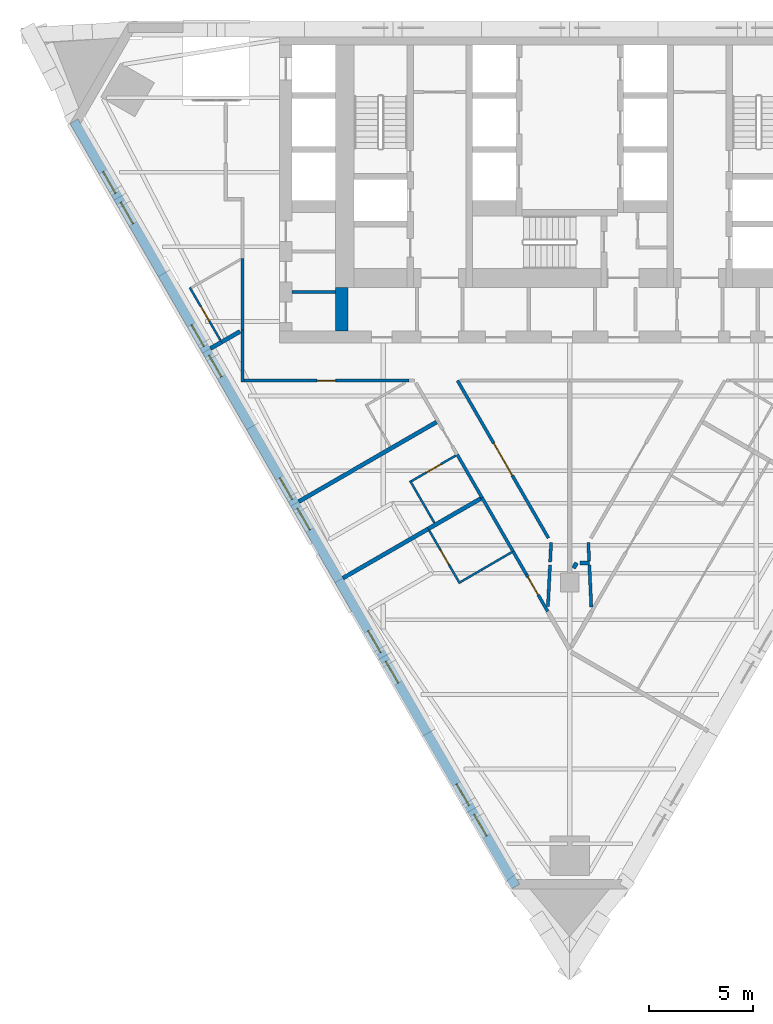
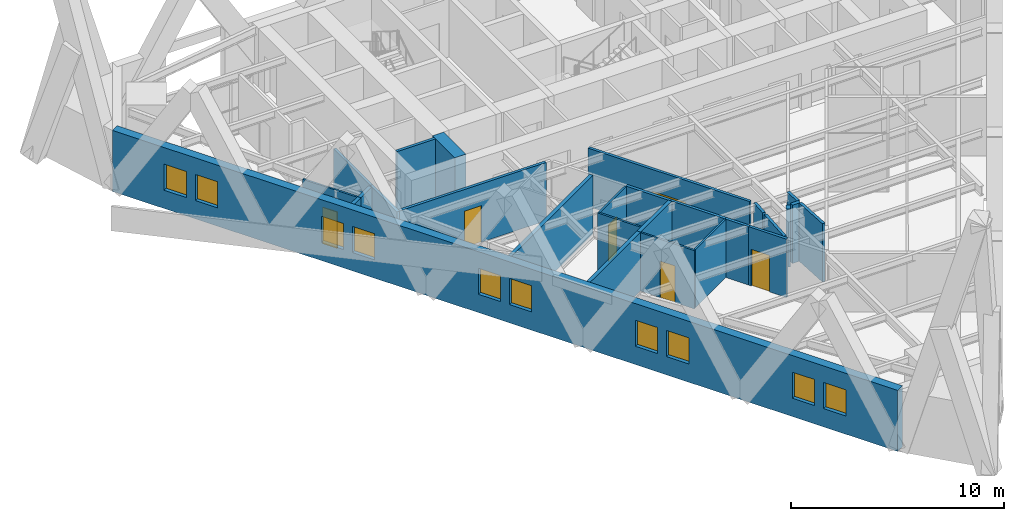
# One storey, part 4 of 11: 27 walls, 10 windows, 6 doors, 16 openings.
"""IFC4 building model written with IfcOpenShell, lengths in metres."""

from ifc_helpers import new_model, si_unit, direction, frame, frame_2d, origin, place, context, subcontext, project, spatial, polyline, rectangle, outline, extrude, material, layer, layer_set, type_object, element, fill, save


model = new_model("IFC4")

# Units and contexts
model_context = context("Model", 3, precision=1e-05, world=origin(), true_north=direction((0.0, 1.0)))
body_context = subcontext(model_context, "Body", "Model", "MODEL_VIEW")
ifc_project = project(units=[si_unit("LENGTHUNIT", "METRE"), si_unit("AREAUNIT", "SQUARE_METRE"), si_unit("VOLUMEUNIT", "CUBIC_METRE"), si_unit("PLANEANGLEUNIT", "RADIAN"), si_unit("MASSUNIT", "GRAM", prefix="KILO")], contexts=[model_context])

# Site, building, storey
site_placement = place(None, origin())
site = spatial("IfcSite", under=ifc_project, at=site_placement, CompositionType="ELEMENT")
building_placement = place(site_placement, origin())
building = spatial("IfcBuilding", under=site, at=building_placement, Name="Aloe Facet Convention Tower", CompositionType="ELEMENT")
storey_placement = place(building_placement, frame((0.0, 0.0, 95.800048828125)))
storey = spatial("IfcBuildingStorey", under=building, at=storey_placement, Name="L23", CompositionType="ELEMENT", Elevation=95.800048828125)

# Walls
ifc_material_1 = material(Name="Concrete blockwork partition", Category="masonry")
ifc_layer_1 = layer(ifc_material_1, 0.14990234375)
ifc_layer_set_1 = layer_set([ifc_layer_1], Name="CR-W-PART150")
wall_type_1 = type_object("IfcWallType", Name="CR-W-PART150", PredefinedType="PARTITIONING", material=ifc_layer_set_1)
wall_1_placement = place(storey_placement, frame((66.60009765625, 122.02490234375, 0.0), z_axis=(0.0, 0.0, 1.0), x_axis=(1.0, 0.0, 0.0)))
element("IfcWall", 1, at=wall_1_placement, inside=storey, type_object=wall_type_1, Name="Core partition L23-008", PredefinedType="PARTITIONING", context=body_context, shape_type="SweptSolid", body=[
    extrude(rectangle(XDim=2.099853515625, YDim=0.14990234375, at=frame_2d((1.0498046875, 0.0))), origin(), (0.0, 0.0, 1.0), 3.349853515625),
])
ifc_material_2 = material(Name="Concrete C70/85", Category="concrete")
ifc_layer_2 = layer(ifc_material_2, 0.60009765625)
ifc_layer_set_2 = layer_set([ifc_layer_2], Name="CR-W-RC600-C7085")
wall_type_2 = type_object("IfcWallType", Name="CR-W-RC600-C7085", PredefinedType="SOLIDWALL", material=ifc_layer_set_2)
wall_2_placement = place(storey_placement, frame((69.0, 122.25, 0.0), z_axis=(0.0, 0.0, 1.0), x_axis=(0.0, -1.0, 0.0)))
element("IfcWall", 2, at=wall_2_placement, inside=storey, type_object=wall_type_2, Name="Core wall L23-010", PredefinedType="SOLIDWALL", context=body_context, shape_type="SweptSolid", body=[
    extrude(rectangle(XDim=2.10009765625, YDim=0.60009765625, at=frame_2d((1.050048828125, 0.0))), origin(), (0.0, 0.0, 1.0), 3.349853515625),
])

# Wall, openings, windows
ifc_material_3 = material(Name="Precast concrete C40/50", Category="concrete")
ifc_layer_3 = layer(ifc_material_3, 0.449951171875)
ifc_layer_set_3 = layer_set([ifc_layer_3], Name="EV-WALL-STONE")
wall_type_3 = type_object("IfcWallType", Name="EV-WALL-STONE", PredefinedType="SOLIDWALL", material=ifc_layer_set_3)
wall_3_placement = place(storey_placement, frame((56.0732421875, 130.2626953125, -0.150146484375), z_axis=(0.0, 0.0, 1.0), x_axis=(0.500000478905, -0.866025127289, 0.0)))
wall_3 = element("IfcWall", 3, at=wall_3_placement, inside=storey, type_object=wall_type_3, Name="EW-L23-W01", PredefinedType="SOLIDWALL", context=body_context, shape_type="SweptSolid", body=[
    extrude(outline(polyline([(42.64306640625, 0.0), (42.64306640625, 3.5), (0.0, 3.5), (0.0, 0.0), (42.64306640625, 0.0)])), frame((0.0, 0.22509765625, 0.0), z_axis=(0.0, -1.0, 0.0), x_axis=(1.0, 0.0, 0.0)), (0.0, 0.0, 1.0), 0.449951171875),
])
opening_1_placement = place(wall_3_placement, frame((2.814208984375, 0.0, 1.050048828125)))
opening_1 = element("IfcOpeningElement", 4, at=opening_1_placement, cuts=wall_3, Name="Opening W-L23-W01", PredefinedType="OPENING", context=body_context, shape_type="SweptSolid", body=[
    extrude(rectangle(XDim=1.199951171875, YDim=1.5, at=frame_2d((0.60009765625, 0.75))), frame((0.0, 0.23486328125, 0.0), z_axis=(0.0, -1.0, 0.0), x_axis=(1.0, 0.0, 0.0)), (0.0, 0.0, 1.0), 0.469970703125),
])
opening_2_placement = place(wall_3_placement, frame((4.514404296875, 0.0, 1.050048828125)))
opening_2 = element("IfcOpeningElement", 5, at=opening_2_placement, cuts=wall_3, Name="Opening W-L23-W02", PredefinedType="OPENING", context=body_context, shape_type="SweptSolid", body=[
    extrude(rectangle(XDim=1.199951171875, YDim=1.5, at=frame_2d((0.60009765625, 0.75))), frame((0.0, 0.23486328125, 0.0), z_axis=(0.0, -1.0, 0.0), x_axis=(1.0, 0.0, 0.0)), (0.0, 0.0, 1.0), 0.469970703125),
])
opening_3_placement = place(wall_3_placement, frame((11.343017578125, 0.0, 1.050048828125)))
opening_3 = element("IfcOpeningElement", 6, at=opening_3_placement, cuts=wall_3, Name="Opening W-L23-W03", PredefinedType="OPENING", context=body_context, shape_type="SweptSolid", body=[
    extrude(rectangle(XDim=1.199951171875, YDim=1.5, at=frame_2d((0.60009765625, 0.75))), frame((0.0, 0.23486328125, 0.0), z_axis=(0.0, -1.0, 0.0), x_axis=(1.0, 0.0, 0.0)), (0.0, 0.0, 1.0), 0.469970703125),
])
opening_4_placement = place(wall_3_placement, frame((13.04296875, 0.0, 1.050048828125)))
opening_4 = element("IfcOpeningElement", 7, at=opening_4_placement, cuts=wall_3, Name="Opening W-L23-W04", PredefinedType="OPENING", context=body_context, shape_type="SweptSolid", body=[
    extrude(rectangle(XDim=1.199951171875, YDim=1.5, at=frame_2d((0.60009765625, 0.75))), frame((0.0, 0.23486328125, 0.0), z_axis=(0.0, -1.0, 0.0), x_axis=(1.0, 0.0, 0.0)), (0.0, 0.0, 1.0), 0.469970703125),
])
opening_5_placement = place(wall_3_placement, frame((19.87158203125, 0.0, 1.050048828125)))
opening_5 = element("IfcOpeningElement", 8, at=opening_5_placement, cuts=wall_3, Name="Opening W-L23-W05", PredefinedType="OPENING", context=body_context, shape_type="SweptSolid", body=[
    extrude(rectangle(XDim=1.199951171875, YDim=1.5, at=frame_2d((0.60009765625, 0.75))), frame((0.0, 0.23486328125, 0.0), z_axis=(0.0, -1.0, 0.0), x_axis=(1.0, 0.0, 0.0)), (0.0, 0.0, 1.0), 0.469970703125),
])
opening_6_placement = place(wall_3_placement, frame((21.571533203125, 0.0, 1.050048828125)))
opening_6 = element("IfcOpeningElement", 9, at=opening_6_placement, cuts=wall_3, Name="Opening W-L23-W06", PredefinedType="OPENING", context=body_context, shape_type="SweptSolid", body=[
    extrude(rectangle(XDim=1.199951171875, YDim=1.5, at=frame_2d((0.60009765625, 0.75))), frame((0.0, 0.23486328125, 0.0), z_axis=(0.0, -1.0, 0.0), x_axis=(1.0, 0.0, 0.0)), (0.0, 0.0, 1.0), 0.469970703125),
])
opening_7_placement = place(wall_3_placement, frame((28.400146484375, 0.0, 1.050048828125)))
opening_7 = element("IfcOpeningElement", 10, at=opening_7_placement, cuts=wall_3, Name="Opening W-L23-W07", PredefinedType="OPENING", context=body_context, shape_type="SweptSolid", body=[
    extrude(rectangle(XDim=1.199951171875, YDim=1.5, at=frame_2d((0.60009765625, 0.75))), frame((0.0, 0.23486328125, 0.0), z_axis=(0.0, -1.0, 0.0), x_axis=(1.0, 0.0, 0.0)), (0.0, 0.0, 1.0), 0.469970703125),
])
opening_8_placement = place(wall_3_placement, frame((30.10009765625, 0.0, 1.050048828125)))
opening_8 = element("IfcOpeningElement", 11, at=opening_8_placement, cuts=wall_3, Name="Opening W-L23-W08", PredefinedType="OPENING", context=body_context, shape_type="SweptSolid", body=[
    extrude(rectangle(XDim=1.199951171875, YDim=1.5, at=frame_2d((0.60009765625, 0.75))), frame((0.0, 0.23486328125, 0.0), z_axis=(0.0, -1.0, 0.0), x_axis=(1.0, 0.0, 0.0)), (0.0, 0.0, 1.0), 0.469970703125),
])
opening_9_placement = place(wall_3_placement, frame((36.9287109375, 0.0, 1.050048828125)))
opening_9 = element("IfcOpeningElement", 12, at=opening_9_placement, cuts=wall_3, Name="Opening W-L23-W09", PredefinedType="OPENING", context=body_context, shape_type="SweptSolid", body=[
    extrude(rectangle(XDim=1.199951171875, YDim=1.5, at=frame_2d((0.60009765625, 0.75))), frame((0.0, 0.23486328125, 0.0), z_axis=(0.0, -1.0, 0.0), x_axis=(1.0, 0.0, 0.0)), (0.0, 0.0, 1.0), 0.469970703125),
])
opening_10_placement = place(wall_3_placement, frame((38.628662109375, 0.0, 1.050048828125)))
opening_10 = element("IfcOpeningElement", 13, at=opening_10_placement, cuts=wall_3, Name="Opening W-L23-W10", PredefinedType="OPENING", context=body_context, shape_type="SweptSolid", body=[
    extrude(rectangle(XDim=1.199951171875, YDim=1.5, at=frame_2d((0.60009765625, 0.75))), frame((0.0, 0.23486328125, 0.0), z_axis=(0.0, -1.0, 0.0), x_axis=(1.0, 0.0, 0.0)), (0.0, 0.0, 1.0), 0.469970703125),
])
ifc_material_4 = material(Name="Aluminium frame, clear double glazing", Category="aluminium")
window_type = type_object("IfcWindowType", Name="EV-WIN-H12", PartitioningType="SINGLE_PANEL", PredefinedType="WINDOW", material=ifc_material_4)
window_1_placement = place(opening_1_placement, origin())
window_1 = element("IfcWindow", 14, at=window_1_placement, inside=storey, type_object=window_type, Name="W-L23-W01", OverallHeight=1.5, OverallWidth=1.199951171875, PartitioningType="SINGLE_PANEL", PredefinedType="WINDOW", context=body_context, shape_type="SweptSolid", body=[
    extrude(rectangle(XDim=1.199951171875, YDim=1.5, at=frame_2d((0.60009765625, 0.75))), frame((0.0, 0.030029296875, 0.0), z_axis=(0.0, -1.0, 0.0), x_axis=(1.0, 0.0, 0.0)), (0.0, 0.0, 1.0), 0.06005859375),
])
fill(opening_1, window_1)
window_2_placement = place(opening_2_placement, origin())
window_2 = element("IfcWindow", 15, at=window_2_placement, inside=storey, type_object=window_type, Name="W-L23-W02", OverallHeight=1.5, OverallWidth=1.199951171875, PartitioningType="SINGLE_PANEL", PredefinedType="WINDOW", context=body_context, shape_type="SweptSolid", body=[
    extrude(rectangle(XDim=1.199951171875, YDim=1.5, at=frame_2d((0.60009765625, 0.75))), frame((0.0, 0.030029296875, 0.0), z_axis=(0.0, -1.0, 0.0), x_axis=(1.0, 0.0, 0.0)), (0.0, 0.0, 1.0), 0.06005859375),
])
fill(opening_2, window_2)
window_3_placement = place(opening_3_placement, origin())
window_3 = element("IfcWindow", 16, at=window_3_placement, inside=storey, type_object=window_type, Name="W-L23-W03", OverallHeight=1.5, OverallWidth=1.199951171875, PartitioningType="SINGLE_PANEL", PredefinedType="WINDOW", context=body_context, shape_type="SweptSolid", body=[
    extrude(rectangle(XDim=1.199951171875, YDim=1.5, at=frame_2d((0.60009765625, 0.75))), frame((0.0, 0.030029296875, 0.0), z_axis=(0.0, -1.0, 0.0), x_axis=(1.0, 0.0, 0.0)), (0.0, 0.0, 1.0), 0.06005859375),
])
fill(opening_3, window_3)
window_4_placement = place(opening_4_placement, origin())
window_4 = element("IfcWindow", 17, at=window_4_placement, inside=storey, type_object=window_type, Name="W-L23-W04", OverallHeight=1.5, OverallWidth=1.199951171875, PartitioningType="SINGLE_PANEL", PredefinedType="WINDOW", context=body_context, shape_type="SweptSolid", body=[
    extrude(rectangle(XDim=1.199951171875, YDim=1.5, at=frame_2d((0.60009765625, 0.75))), frame((0.0, 0.030029296875, 0.0), z_axis=(0.0, -1.0, 0.0), x_axis=(1.0, 0.0, 0.0)), (0.0, 0.0, 1.0), 0.06005859375),
])
fill(opening_4, window_4)
window_5_placement = place(opening_5_placement, origin())
window_5 = element("IfcWindow", 18, at=window_5_placement, inside=storey, type_object=window_type, Name="W-L23-W05", OverallHeight=1.5, OverallWidth=1.199951171875, PartitioningType="SINGLE_PANEL", PredefinedType="WINDOW", context=body_context, shape_type="SweptSolid", body=[
    extrude(rectangle(XDim=1.199951171875, YDim=1.5, at=frame_2d((0.60009765625, 0.75))), frame((0.0, 0.030029296875, 0.0), z_axis=(0.0, -1.0, 0.0), x_axis=(1.0, 0.0, 0.0)), (0.0, 0.0, 1.0), 0.06005859375),
])
fill(opening_5, window_5)
window_6_placement = place(opening_6_placement, origin())
window_6 = element("IfcWindow", 19, at=window_6_placement, inside=storey, type_object=window_type, Name="W-L23-W06", OverallHeight=1.5, OverallWidth=1.199951171875, PartitioningType="SINGLE_PANEL", PredefinedType="WINDOW", context=body_context, shape_type="SweptSolid", body=[
    extrude(rectangle(XDim=1.199951171875, YDim=1.5, at=frame_2d((0.60009765625, 0.75))), frame((0.0, 0.030029296875, 0.0), z_axis=(0.0, -1.0, 0.0), x_axis=(1.0, 0.0, 0.0)), (0.0, 0.0, 1.0), 0.06005859375),
])
fill(opening_6, window_6)
window_7_placement = place(opening_7_placement, origin())
window_7 = element("IfcWindow", 20, at=window_7_placement, inside=storey, type_object=window_type, Name="W-L23-W07", OverallHeight=1.5, OverallWidth=1.199951171875, PartitioningType="SINGLE_PANEL", PredefinedType="WINDOW", context=body_context, shape_type="SweptSolid", body=[
    extrude(rectangle(XDim=1.199951171875, YDim=1.5, at=frame_2d((0.60009765625, 0.75))), frame((0.0, 0.030029296875, 0.0), z_axis=(0.0, -1.0, 0.0), x_axis=(1.0, 0.0, 0.0)), (0.0, 0.0, 1.0), 0.06005859375),
])
fill(opening_7, window_7)
window_8_placement = place(opening_8_placement, origin())
window_8 = element("IfcWindow", 21, at=window_8_placement, inside=storey, type_object=window_type, Name="W-L23-W08", OverallHeight=1.5, OverallWidth=1.199951171875, PartitioningType="SINGLE_PANEL", PredefinedType="WINDOW", context=body_context, shape_type="SweptSolid", body=[
    extrude(rectangle(XDim=1.199951171875, YDim=1.5, at=frame_2d((0.60009765625, 0.75))), frame((0.0, 0.030029296875, 0.0), z_axis=(0.0, -1.0, 0.0), x_axis=(1.0, 0.0, 0.0)), (0.0, 0.0, 1.0), 0.06005859375),
])
fill(opening_8, window_8)
window_9_placement = place(opening_9_placement, origin())
window_9 = element("IfcWindow", 22, at=window_9_placement, inside=storey, type_object=window_type, Name="W-L23-W09", OverallHeight=1.5, OverallWidth=1.199951171875, PartitioningType="SINGLE_PANEL", PredefinedType="WINDOW", context=body_context, shape_type="SweptSolid", body=[
    extrude(rectangle(XDim=1.199951171875, YDim=1.5, at=frame_2d((0.60009765625, 0.75))), frame((0.0, 0.030029296875, 0.0), z_axis=(0.0, -1.0, 0.0), x_axis=(1.0, 0.0, 0.0)), (0.0, 0.0, 1.0), 0.06005859375),
])
fill(opening_9, window_9)
window_10_placement = place(opening_10_placement, origin())
window_10 = element("IfcWindow", 23, at=window_10_placement, inside=storey, type_object=window_type, Name="W-L23-W10", OverallHeight=1.5, OverallWidth=1.199951171875, PartitioningType="SINGLE_PANEL", PredefinedType="WINDOW", context=body_context, shape_type="SweptSolid", body=[
    extrude(rectangle(XDim=1.199951171875, YDim=1.5, at=frame_2d((0.60009765625, 0.75))), frame((0.0, 0.030029296875, 0.0), z_axis=(0.0, -1.0, 0.0), x_axis=(1.0, 0.0, 0.0)), (0.0, 0.0, 1.0), 0.06005859375),
])
fill(opening_10, window_10)

# Wall
ifc_material_5 = material(Name="Gypsum board partition on steel studs", Category="steel")
ifc_layer_4 = layer(ifc_material_5, 0.14990234375)
ifc_layer_set_4 = layer_set([ifc_layer_4], Name="IN-W-CORR")
wall_type_4 = type_object("IfcWallType", Name="IN-W-CORR", PredefinedType="PARTITIONING", material=ifc_layer_set_4)
wall_4_placement = place(storey_placement, frame((80.949951171875, 108.84814453125, 0.0), z_axis=(0.0, 0.0, 1.0), x_axis=(0.045670029404, -0.998956579844, 0.0)))
element("IfcWall", 24, at=wall_4_placement, inside=storey, type_object=wall_type_4, Name="Partition L23-W006", PredefinedType="PARTITIONING", context=body_context, shape_type="SweptSolid", body=[
    extrude(rectangle(XDim=2.026123046875, YDim=0.14990234375, at=frame_2d((1.01318359375, 0.0))), origin(), (0.0, 0.0, 1.0), 3.349853515625),
])

# Wall, opening, door
wall_5_placement = place(storey_placement, frame((77.905029296875, 108.399169921875, 0.0), z_axis=(0.0, 0.0, 1.0), x_axis=(0.499978243488, -0.866037964548, 0.0)))
wall_5 = element("IfcWall", 25, at=wall_5_placement, inside=storey, type_object=wall_type_4, Name="Partition L23-W007", PredefinedType="PARTITIONING", context=body_context, shape_type="SweptSolid", body=[
    extrude(rectangle(XDim=2.0654296875, YDim=0.14990234375, at=frame_2d((1.03271484375, 0.0))), origin(), (0.0, 0.0, 1.0), 3.349853515625),
])
opening_11_placement = place(wall_5_placement, frame((0.14990234375, 0.0, 0.0)))
opening_11 = element("IfcOpeningElement", 26, at=opening_11_placement, cuts=wall_5, Name="Opening L23-004", PredefinedType="OPENING", context=body_context, shape_type="SweptSolid", body=[
    extrude(rectangle(XDim=1.0, YDim=2.10009765625, at=frame_2d((0.5, 1.050048828125))), frame((0.0, 0.0849609375, 0.0), z_axis=(0.0, -1.0, 0.0), x_axis=(1.0, 0.0, 0.0)), (0.0, 0.0, 1.0), 0.169921875),
])
ifc_material_6 = material(Name="Hardwood flush door FD30S", Category="wood")
door_type_1 = type_object("IfcDoorType", Name="IN-D-WIDE", OperationType="SINGLE_SWING_LEFT", PredefinedType="DOOR", material=ifc_material_6)
door_1_placement = place(opening_11_placement, origin())
door_1 = element("IfcDoor", 27, at=door_1_placement, inside=storey, type_object=door_type_1, Name="Door L23-004", OperationType="SINGLE_SWING_LEFT", OverallHeight=2.10009765625, OverallWidth=1.0, PredefinedType="DOOR", context=body_context, shape_type="SweptSolid", body=[
    extrude(rectangle(XDim=1.0, YDim=2.10009765625, at=frame_2d((0.5, 1.050048828125))), frame((0.0, 0.02490234375, 0.0), z_axis=(0.0, -1.0, 0.0), x_axis=(1.0, 0.0, 0.0)), (0.0, 0.0, 1.0), 0.050048828125),
])
fill(opening_11, door_1)

# Walls
wall_6_placement = place(storey_placement, frame((77.267822265625, 109.5029296875, 0.0), z_axis=(0.0, 0.0, 1.0), x_axis=(0.499971184285, -0.866042039906, 0.0)))
element("IfcWall", 28, at=wall_6_placement, inside=storey, type_object=wall_type_4, Name="Partition L23-W011", PredefinedType="PARTITIONING", context=body_context, shape_type="SweptSolid", body=[
    extrude(rectangle(XDim=1.2744140625, YDim=0.14990234375, at=frame_2d((0.63720703125, 0.0))), origin(), (0.0, 0.0, 1.0), 3.349853515625),
])
wall_7_placement = place(storey_placement, frame((78.94921875, 106.840087890625, 0.0), z_axis=(0.0, 0.0, 1.0), x_axis=(0.050149584136, 0.998741717969, 0.0)))
element("IfcWall", 29, at=wall_7_placement, inside=storey, type_object=wall_type_4, Name="Partition L23-W012", PredefinedType="PARTITIONING", context=body_context, shape_type="SweptSolid", body=[
    extrude(rectangle(XDim=2.010498046875, YDim=0.14990234375, at=frame_2d((1.00537109375, 0.0))), origin(), (0.0, 0.0, 1.0), 3.349853515625),
])
wall_8_placement = place(storey_placement, frame((80.897216796875, 109.92431640625, 0.0), z_axis=(0.0, 0.0, 1.0), x_axis=(0.049098404418, -0.998793946059, 0.0)))
element("IfcWall", 30, at=wall_8_placement, inside=storey, type_object=wall_type_4, Name="Partition L23-W019", PredefinedType="PARTITIONING", context=body_context, shape_type="SweptSolid", body=[
    extrude(rectangle(XDim=0.885009765625, YDim=0.14990234375, at=frame_2d((0.4423828125, 0.0))), origin(), (0.0, 0.0, 1.0), 3.349853515625),
])
wall_9_placement = place(storey_placement, frame((79.057373046875, 109.00048828125, 0.0), z_axis=(0.0, 0.0, 1.0), x_axis=(0.04908211964, 0.998794746448, 0.0)))
element("IfcWall", 31, at=wall_9_placement, inside=storey, type_object=wall_type_4, Name="Partition L23-W022", PredefinedType="PARTITIONING", context=body_context, shape_type="SweptSolid", body=[
    extrude(rectangle(XDim=0.92529296875, YDim=0.14990234375, at=frame_2d((0.462646484375, 0.0))), origin(), (0.0, 0.0, 1.0), 3.349853515625),
])
wall_10_placement = place(storey_placement, frame((75.772705078125, 112.09228515625, 0.0), z_axis=(0.0, 0.0, 1.0), x_axis=(0.500038154266, -0.866003374288, 0.0)))
element("IfcWall", 32, at=wall_10_placement, inside=storey, type_object=wall_type_4, Name="Partition L23-W029", PredefinedType="PARTITIONING", context=body_context, shape_type="SweptSolid", body=[
    extrude(rectangle(XDim=2.989990234375, YDim=0.14990234375, at=frame_2d((1.4951171875, 0.0))), origin(), (0.0, 0.0, 1.0), 3.349853515625),
])
wall_11_placement = place(storey_placement, frame((74.57275390625, 114.170654296875, 0.0), z_axis=(0.0, 0.0, 1.0), x_axis=(0.500001309137, -0.866024647952, 0.0)))
element("IfcWall", 33, at=wall_11_placement, inside=storey, type_object=wall_type_4, Name="Partition L23-W037", PredefinedType="PARTITIONING", context=body_context, shape_type="SweptSolid", body=[
    extrude(rectangle(XDim=2.39990234375, YDim=0.14990234375, at=frame_2d((1.199951171875, 0.0))), origin(), (0.0, 0.0, 1.0), 3.349853515625),
])
wall_12_placement = place(storey_placement, frame((64.199951171875, 117.675048828125, 0.0), z_axis=(0.0, 0.0, 1.0), x_axis=(0.0, 1.0, 0.0)))
element("IfcWall", 34, at=wall_12_placement, inside=storey, type_object=wall_type_4, Name="Partition L23-W047", PredefinedType="PARTITIONING", context=body_context, shape_type="SweptSolid", body=[
    extrude(rectangle(XDim=2.507568359375, YDim=0.14990234375, at=frame_2d((1.25390625, 0.0))), origin(), (0.0, 0.0, 1.0), 3.349853515625),
])

# Wall, opening, door
wall_13_placement = place(storey_placement, frame((64.27490234375, 117.75, 0.0), z_axis=(0.0, 0.0, 1.0), x_axis=(1.0, 0.0, 0.0)))
wall_13 = element("IfcWall", 35, at=wall_13_placement, inside=storey, type_object=wall_type_4, Name="Partition L23-W049", PredefinedType="PARTITIONING", context=body_context, shape_type="SweptSolid", body=[
    extrude(rectangle(XDim=7.96875, YDim=0.14990234375, at=frame_2d((3.984375, 0.0))), origin(), (0.0, 0.0, 1.0), 3.349853515625),
])
opening_12_placement = place(wall_13_placement, frame((3.534423828125, 0.0, 0.0)))
opening_12 = element("IfcOpeningElement", 36, at=opening_12_placement, cuts=wall_13, Name="Opening L23-002", PredefinedType="OPENING", context=body_context, shape_type="SweptSolid", body=[
    extrude(rectangle(XDim=0.89990234375, YDim=2.10009765625, at=frame_2d((0.449951171875, 1.050048828125))), frame((0.0, 0.0849609375, 0.0), z_axis=(0.0, -1.0, 0.0), x_axis=(1.0, 0.0, 0.0)), (0.0, 0.0, 1.0), 0.169921875),
])
ifc_material_7 = material(Name="Hardwood flush door FD30S", Category="wood")
door_type_2 = type_object("IfcDoorType", Name="IN-D-GUEST", OperationType="SINGLE_SWING_LEFT", PredefinedType="DOOR", material=ifc_material_7)
door_2_placement = place(opening_12_placement, origin())
door_2 = element("IfcDoor", 37, at=door_2_placement, inside=storey, type_object=door_type_2, Name="Door L23-002", OperationType="SINGLE_SWING_LEFT", OverallHeight=2.10009765625, OverallWidth=0.89990234375, PredefinedType="DOOR", context=body_context, shape_type="SweptSolid", body=[
    extrude(rectangle(XDim=0.89990234375, YDim=2.10009765625, at=frame_2d((0.449951171875, 1.050048828125))), frame((0.0, 0.02490234375, 0.0), z_axis=(0.0, -1.0, 0.0), x_axis=(1.0, 0.0, 0.0)), (0.0, 0.0, 1.0), 0.050048828125),
])
fill(opening_12, door_2)

wall_14_placement = place(storey_placement, frame((74.584716796875, 117.75, 0.0), z_axis=(0.0, 0.0, 1.0), x_axis=(0.500002428523, -0.866024001672, 0.0)))
wall_14 = element("IfcWall", 38, at=wall_14_placement, inside=storey, type_object=wall_type_4, Name="Partition L23-W051", PredefinedType="PARTITIONING", context=body_context, shape_type="SweptSolid", body=[
    extrude(rectangle(XDim=8.78125, YDim=0.14990234375, at=frame_2d((4.390625, 0.0))), origin(), (0.0, 0.0, 1.0), 3.349853515625),
])
opening_13_placement = place(wall_14_placement, frame((3.49072265625, 0.0, 0.0)))
opening_13 = element("IfcOpeningElement", 39, at=opening_13_placement, cuts=wall_14, Name="Opening L23-007", PredefinedType="OPENING", context=body_context, shape_type="SweptSolid", body=[
    extrude(rectangle(XDim=1.800048828125, YDim=2.10009765625, at=frame_2d((0.89990234375, 1.050048828125))), frame((0.0, 0.0849609375, 0.0), z_axis=(0.0, -1.0, 0.0), x_axis=(1.0, 0.0, 0.0)), (0.0, 0.0, 1.0), 0.169921875),
])
ifc_material_8 = material(Name="Timber flush door pair", Category="wood")
door_type_3 = type_object("IfcDoorType", Name="IN-D-PAIR-U", OperationType="DOUBLE_DOOR_SINGLE_SWING", PredefinedType="DOOR", material=ifc_material_8)
door_3_placement = place(opening_13_placement, origin())
door_3 = element("IfcDoor", 40, at=door_3_placement, inside=storey, type_object=door_type_3, Name="Door L23-007", OperationType="SINGLE_SWING_LEFT", OverallHeight=2.10009765625, OverallWidth=1.800048828125, PredefinedType="DOOR", context=body_context, shape_type="SweptSolid", body=[
    extrude(rectangle(XDim=1.800048828125, YDim=2.10009765625, at=frame_2d((0.89990234375, 1.050048828125))), frame((0.0, 0.02490234375, 0.0), z_axis=(0.0, -1.0, 0.0), x_axis=(1.0, 0.0, 0.0)), (0.0, 0.0, 1.0), 0.050048828125),
])
fill(opening_13, door_3)

# Wall
wall_15_placement = place(storey_placement, frame((64.199951171875, 120.1826171875, 0.0), z_axis=(0.0, 0.0, 1.0), x_axis=(0.0, 1.0, 0.0)))
element("IfcWall", 41, at=wall_15_placement, inside=storey, type_object=wall_type_4, Name="Partition L23-W063", PredefinedType="PARTITIONING", context=body_context, shape_type="SweptSolid", body=[
    extrude(rectangle(XDim=3.464111328125, YDim=0.14990234375, at=frame_2d((1.73193359375, 0.0))), origin(), (0.0, 0.0, 1.0), 3.349853515625),
])

# Wall, opening, door
ifc_material_9 = material(Name="Gypsum board partition on steel studs", Category="steel")
ifc_layer_5 = layer(ifc_material_9, 0.10009765625)
ifc_layer_set_5 = layer_set([ifc_layer_5], Name="IN-W-PART")
wall_type_5 = type_object("IfcWallType", Name="IN-W-PART", PredefinedType="PARTITIONING", material=ifc_layer_set_5)
wall_16_placement = place(storey_placement, frame((73.229736328125, 110.4970703125, 0.0), z_axis=(0.0, 0.0, 1.0), x_axis=(0.499988418424, -0.866032090307, 0.0)))
wall_16 = element("IfcWall", 42, at=wall_16_placement, inside=storey, type_object=wall_type_5, Name="Partition L23-W008", PredefinedType="PARTITIONING", context=body_context, shape_type="SweptSolid", body=[
    extrude(rectangle(XDim=2.93994140625, YDim=0.10009765625, at=frame_2d((1.469970703125, 0.0))), origin(), (0.0, 0.0, 1.0), 3.349853515625),
])
opening_14_placement = place(wall_16_placement, frame((1.070068359375, 0.0, 0.0)))
opening_14 = element("IfcOpeningElement", 43, at=opening_14_placement, cuts=wall_16, Name="Opening L23-013", PredefinedType="OPENING", context=body_context, shape_type="SweptSolid", body=[
    extrude(rectangle(XDim=0.800048828125, YDim=2.10009765625, at=frame_2d((0.39990234375, 1.050048828125))), frame((0.0, 0.06005859375, 0.0), z_axis=(0.0, -1.0, 0.0), x_axis=(1.0, 0.0, 0.0)), (0.0, 0.0, 1.0), 0.1201171875),
])
ifc_material_10 = material(Name="Timber flush door", Category="wood")
door_type_4 = type_object("IfcDoorType", Name="IN-D-BATH", OperationType="SINGLE_SWING_LEFT", PredefinedType="DOOR", material=ifc_material_10)
door_4_placement = place(opening_14_placement, origin())
door_4 = element("IfcDoor", 44, at=door_4_placement, inside=storey, type_object=door_type_4, Name="Door L23-013", OperationType="SINGLE_SWING_LEFT", OverallHeight=2.10009765625, OverallWidth=0.800048828125, PredefinedType="DOOR", context=body_context, shape_type="SweptSolid", body=[
    extrude(rectangle(XDim=0.800048828125, YDim=2.10009765625, at=frame_2d((0.39990234375, 1.050048828125))), frame((0.0, 0.02490234375, 0.0), z_axis=(0.0, -1.0, 0.0), x_axis=(1.0, 0.0, 0.0)), (0.0, 0.0, 1.0), 0.050048828125),
])
fill(opening_14, door_4)

# Walls
wall_17_placement = place(storey_placement, frame((74.7265625, 108.0244140625, 0.0), z_axis=(0.0, 0.0, 1.0), x_axis=(0.864349013521, 0.502892416751, 0.0)))
element("IfcWall", 45, at=wall_17_placement, inside=storey, type_object=wall_type_5, Name="Partition L23-W020", PredefinedType="PARTITIONING", context=body_context, shape_type="SweptSolid", body=[
    extrude(rectangle(XDim=2.85498046875, YDim=0.10009765625, at=frame_2d((1.427490234375, 0.0))), origin(), (0.0, 0.0, 1.0), 3.349853515625),
])
wall_18_placement = place(storey_placement, frame((72.296142578125, 112.9140625, 0.0), z_axis=(0.0, 0.0, 1.0), x_axis=(0.499954256575, -0.866051812152, 0.0)))
element("IfcWall", 46, at=wall_18_placement, inside=storey, type_object=wall_type_5, Name="Partition L23-W025", PredefinedType="PARTITIONING", context=body_context, shape_type="SweptSolid", body=[
    extrude(rectangle(XDim=2.340087890625, YDim=0.10009765625, at=frame_2d((1.169921875, 0.0))), origin(), (0.0, 0.0, 1.0), 3.349853515625),
])

# Wall, opening, door
wall_19_placement = place(storey_placement, frame((72.364501953125, 112.895751953125, 0.0), z_axis=(0.0, 0.0, 1.0), x_axis=(0.866040446274, 0.499973944738, 0.0)))
wall_19 = element("IfcWall", 47, at=wall_19_placement, inside=storey, type_object=wall_type_5, Name="Partition L23-W031", PredefinedType="PARTITIONING", context=body_context, shape_type="SweptSolid", body=[
    extrude(rectangle(XDim=2.465087890625, YDim=0.10009765625, at=frame_2d((1.232421875, 0.0))), origin(), (0.0, 0.0, 1.0), 3.349853515625),
])
opening_15_placement = place(wall_19_placement, frame((0.83251953125, 0.0, 0.0)))
opening_15 = element("IfcOpeningElement", 48, at=opening_15_placement, cuts=wall_19, Name="Opening L23-012", PredefinedType="OPENING", context=body_context, shape_type="SweptSolid", body=[
    extrude(rectangle(XDim=0.800048828125, YDim=2.10009765625, at=frame_2d((0.39990234375, 1.050048828125))), frame((0.0, 0.06005859375, 0.0), z_axis=(0.0, -1.0, 0.0), x_axis=(1.0, 0.0, 0.0)), (0.0, 0.0, 1.0), 0.1201171875),
])
door_5_placement = place(opening_15_placement, origin())
door_5 = element("IfcDoor", 49, at=door_5_placement, inside=storey, type_object=door_type_4, Name="Door L23-012", OperationType="SINGLE_SWING_LEFT", OverallHeight=2.10009765625, OverallWidth=0.800048828125, PredefinedType="DOOR", context=body_context, shape_type="SweptSolid", body=[
    extrude(rectangle(XDim=0.800048828125, YDim=2.10009765625, at=frame_2d((0.39990234375, 1.050048828125))), frame((0.0, 0.02490234375, 0.0), z_axis=(0.0, -1.0, 0.0), x_axis=(1.0, 0.0, 0.0)), (0.0, 0.0, 1.0), 0.050048828125),
])
fill(opening_15, door_5)

wall_20_placement = place(storey_placement, frame((61.663330078125, 122.239990234375, 0.0), z_axis=(0.0, 0.0, 1.0), x_axis=(0.502884554521, -0.864353587847, 0.0)))
wall_20 = element("IfcWall", 50, at=wall_20_placement, inside=storey, type_object=wall_type_5, Name="Partition L23-W059", PredefinedType="PARTITIONING", context=body_context, shape_type="SweptSolid", body=[
    extrude(rectangle(XDim=2.940185546875, YDim=0.10009765625, at=frame_2d((1.47021484375, 0.0))), origin(), (0.0, 0.0, 1.0), 3.349853515625),
])
opening_16_placement = place(wall_20_placement, frame((1.070068359375, 0.0, 0.0)))
opening_16 = element("IfcOpeningElement", 51, at=opening_16_placement, cuts=wall_20, Name="Opening L23-010", PredefinedType="OPENING", context=body_context, shape_type="SweptSolid", body=[
    extrude(rectangle(XDim=0.800048828125, YDim=2.10009765625, at=frame_2d((0.39990234375, 1.050048828125))), frame((0.0, 0.06005859375, 0.0), z_axis=(0.0, -1.0, 0.0), x_axis=(1.0, 0.0, 0.0)), (0.0, 0.0, 1.0), 0.1201171875),
])
door_6_placement = place(opening_16_placement, origin())
door_6 = element("IfcDoor", 52, at=door_6_placement, inside=storey, type_object=door_type_4, Name="Door L23-010", OperationType="SINGLE_SWING_LEFT", OverallHeight=2.10009765625, OverallWidth=0.800048828125, PredefinedType="DOOR", context=body_context, shape_type="SweptSolid", body=[
    extrude(rectangle(XDim=0.800048828125, YDim=2.10009765625, at=frame_2d((0.39990234375, 1.050048828125))), frame((0.0, 0.02490234375, 0.0), z_axis=(0.0, -1.0, 0.0), x_axis=(1.0, 0.0, 0.0)), (0.0, 0.0, 1.0), 0.050048828125),
])
fill(opening_16, door_6)

# Walls
ifc_material_11 = material(Name="Gypsum board partition on steel studs", Category="steel")
ifc_layer_6 = layer(ifc_material_11, 0.199951171875)
ifc_layer_set_6 = layer_set([ifc_layer_6], Name="IN-W-PARTY")
wall_type_6 = type_object("IfcWallType", Name="IN-W-PARTY", PredefinedType="PARTITIONING", material=ifc_layer_set_6)
wall_21_placement = place(storey_placement, frame((69.06103515625, 108.21728515625, 0.0), z_axis=(0.0, 0.0, 1.0), x_axis=(0.866033238375, 0.499986429846, 0.0)))
element("IfcWall", 53, at=wall_21_placement, inside=storey, type_object=wall_type_6, Name="Partition L23-W009", PredefinedType="PARTITIONING", context=body_context, shape_type="SweptSolid", body=[
    extrude(rectangle(XDim=4.750244140625, YDim=0.199951171875, at=frame_2d((2.375, 0.0))), origin(), (0.0, 0.0, 1.0), 3.349853515625),
])
wall_22_placement = place(storey_placement, frame((80.1865234375, 108.69384765625, 0.0), z_axis=(0.0, 0.0, 1.0), x_axis=(0.500580336545, 0.865690086962, 0.0)))
element("IfcWall", 54, at=wall_22_placement, inside=storey, type_object=wall_type_6, Name="Partition L23-W015", PredefinedType="PARTITIONING", context=body_context, shape_type="SweptSolid", body=[
    extrude(rectangle(XDim=0.295654296875, YDim=0.199951171875, at=frame_2d((0.14794921875, 0.0))), origin(), (0.0, 0.0, 1.0), 3.349853515625),
])
wall_23_placement = place(storey_placement, frame((80.5078125, 108.94970703125, 0.0), z_axis=(0.0, 0.0, 1.0), x_axis=(0.999999844124, 0.000558347205, 0.0)))
element("IfcWall", 55, at=wall_23_placement, inside=storey, type_object=wall_type_6, Name="Partition L23-W016", PredefinedType="PARTITIONING", context=body_context, shape_type="SweptSolid", body=[
    extrude(rectangle(XDim=0.437255859375, YDim=0.199951171875, at=frame_2d((0.21875, 0.0))), origin(), (0.0, 0.0, 1.0), 3.349853515625),
])
wall_24_placement = place(storey_placement, frame((73.1748046875, 110.59228515625, 0.0), z_axis=(0.0, 0.0, 1.0), x_axis=(0.866025730634, 0.499999433879, 0.0)))
element("IfcWall", 56, at=wall_24_placement, inside=storey, type_object=wall_type_6, Name="Partition L23-W023", PredefinedType="PARTITIONING", context=body_context, shape_type="SweptSolid", body=[
    extrude(rectangle(XDim=2.9248046875, YDim=0.199951171875, at=frame_2d((1.46240234375, 0.0))), origin(), (0.0, 0.0, 1.0), 3.349853515625),
])
wall_25_placement = place(storey_placement, frame((66.928955078125, 111.91015625, 0.0), z_axis=(0.0, 0.0, 1.0), x_axis=(0.866016603171, 0.5000152428, 0.0)))
element("IfcWall", 57, at=wall_25_placement, inside=storey, type_object=wall_type_6, Name="Partition L23-W027", PredefinedType="PARTITIONING", context=body_context, shape_type="SweptSolid", body=[
    extrude(rectangle(XDim=7.675048828125, YDim=0.199951171875, at=frame_2d((3.83740234375, 0.0))), origin(), (0.0, 0.0, 1.0), 3.349853515625),
])
wall_26_placement = place(storey_placement, frame((62.66455078125, 119.29638671875, 0.0), z_axis=(0.0, 0.0, 1.0), x_axis=(0.86615915044, 0.499768272412, 0.0)))
element("IfcWall", 58, at=wall_26_placement, inside=storey, type_object=wall_type_6, Name="Partition L23-W057", PredefinedType="PARTITIONING", context=body_context, shape_type="SweptSolid", body=[
    extrude(rectangle(XDim=0.614990234375, YDim=0.199951171875, at=frame_2d((0.3076171875, 0.0))), origin(), (0.0, 0.0, 1.0), 3.349853515625),
])
wall_27_placement = place(storey_placement, frame((63.197265625, 119.603759765625, 0.0), z_axis=(0.0, 0.0, 1.0), x_axis=(0.866067506982, 0.499927068031, 0.0)))
element("IfcWall", 59, at=wall_27_placement, inside=storey, type_object=wall_type_6, Name="Partition L23-W060", PredefinedType="PARTITIONING", context=body_context, shape_type="SweptSolid", body=[
    extrude(rectangle(XDim=1.032958984375, YDim=0.199951171875, at=frame_2d((0.5166015625, 0.0))), origin(), (0.0, 0.0, 1.0), 3.349853515625),
])

save(model, "model.ifc")
